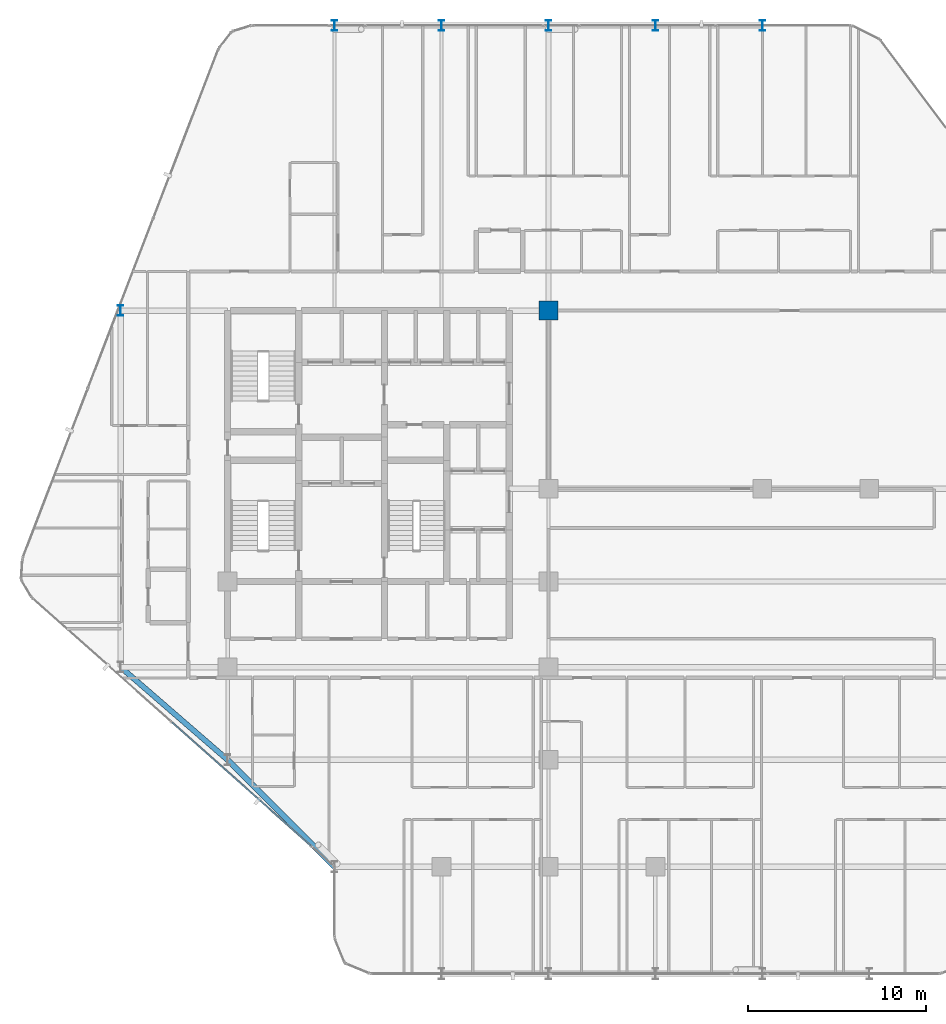
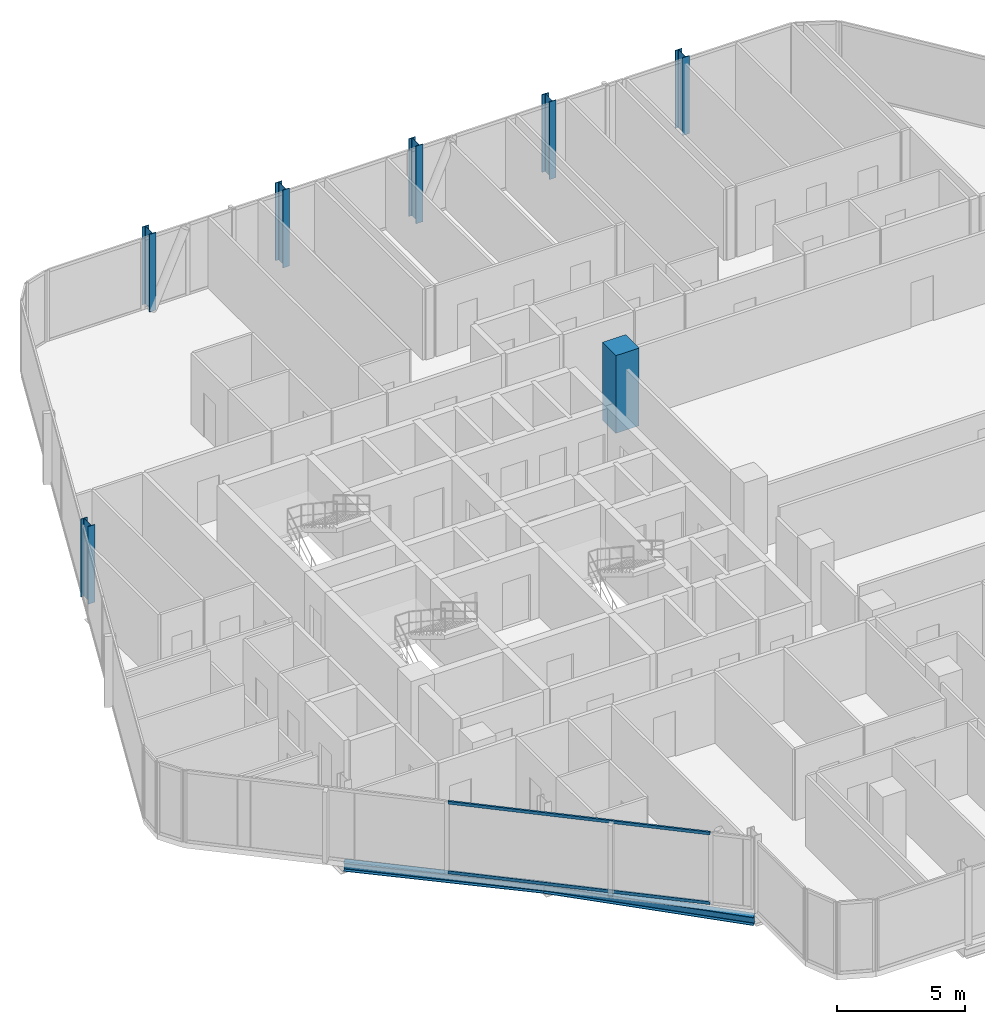
# One storey, part 2 of 29: 7 columns, 2 beams, 2 members, 1 element without a shape of its own.
"""IFC4 building model written with IfcOpenShell, lengths in metres."""

from ifc_helpers import new_model, si_unit, direction, frame, origin, origin_2d, place, context, subcontext, project, spatial, rectangle, hollow_rectangle, i_section, extrude, material, layer, layer_set, material_profile, profile_set, type_object, element, aggregate, save


model = new_model("IFC4")

# Units and contexts
model_context = context("Model", 3, precision=1e-05, world=origin(), true_north=direction((0.0, 1.0)))
body_context = subcontext(model_context, "Body", "Model", "MODEL_VIEW")
ifc_project = project(units=[si_unit("LENGTHUNIT", "METRE"), si_unit("AREAUNIT", "SQUARE_METRE"), si_unit("VOLUMEUNIT", "CUBIC_METRE"), si_unit("PLANEANGLEUNIT", "RADIAN"), si_unit("MASSUNIT", "GRAM", prefix="KILO")], contexts=[model_context])

# Site, building, storey
site_placement = place(None, origin())
site = spatial("IfcSite", under=ifc_project, at=site_placement, CompositionType="ELEMENT")
building_placement = place(site_placement, origin())
building = spatial("IfcBuilding", under=site, at=building_placement, Name="Keshet Zoharim Tower", CompositionType="ELEMENT")
storey_placement = place(building_placement, frame((0.0, 0.0, 94.60009765625)))
storey = spatial("IfcBuildingStorey", under=building, at=storey_placement, Name="L22", CompositionType="ELEMENT", Elevation=94.60009765625)

# Columns
ifc_material_1 = material(Name="Steel S355", Category="steel")
ifc_material_profile_1 = material_profile(ifc_material_1, i_section(OverallWidth=0.300048828125, OverallDepth=0.60009765625, WebThickness=0.015380859375, FlangeThickness=0.030029296875, FilletRadius=0.027099609375, at=origin_2d()), Name="HEB600")
ifc_profile_set_1 = profile_set([ifc_material_profile_1], Name="Steel S355")
column_type_1 = type_object("IfcColumnType", Name="COL-HEB600", PredefinedType="COLUMN", material=ifc_profile_set_1)
for number, where, z_axis, x_axis, name in (
    (1, (9.0, 37.89990234375, 0.0), (0.0, 0.0, 1.0), (1.0, 0.0, 0.0), "L22 Column 2H"),
    (2, (21.0, 53.89990234375, 0.0), (0.0, 0.0, 1.0), (1.0, 0.0, 0.0), "L22 Column 4L"),
    (3, (27.0, 53.89990234375, 0.0), (0.0, 0.0, 1.0), (1.0, 0.0, 0.0), "L22 Column 5L"),
    (4, (33.0, 53.89990234375, 0.0), (0.0, 0.0, 1.0), (1.0, 0.0, 0.0), "L22 Column 6L"),
    (5, (39.0, 53.89990234375, 0.0), (0.0, 0.0, 1.0), (1.0, 0.0, 0.0), "L22 Column 7L"),
    (6, (45.0, 53.89990234375, 0.0), (0.0, 0.0, 1.0), (1.0, 0.0, 0.0), "L22 Column 8L"),
):
    element("IfcColumn", number, at=place(storey_placement, frame(where, z_axis=z_axis, x_axis=x_axis)), inside=storey, type_object=column_type_1, Name=name, PredefinedType="COLUMN", context=body_context, shape_type="SweptSolid", body=[
        extrude(i_section(OverallWidth=0.300048828125, OverallDepth=0.60009765625, WebThickness=0.015380859375, FlangeThickness=0.030029296875, FilletRadius=0.027099609375, at=origin_2d()), origin(), (0.0, 0.0, 1.0), 3.699951171875),
    ])
ifc_material_2 = material(Name="Concrete C60/75", Category="concrete")
ifc_material_profile_2 = material_profile(ifc_material_2, rectangle(XDim=1.050048828125, YDim=1.050048828125, at=origin_2d()), Name="RC1050x1050")
ifc_profile_set_2 = profile_set([ifc_material_profile_2], Name="Concrete C60/75")
column_type_2 = type_object("IfcColumnType", Name="COL-RC1050", PredefinedType="COLUMN", material=ifc_profile_set_2)
column_placement = place(storey_placement, frame((33.0, 37.89990234375, 0.0), z_axis=(0.0, 0.0, 1.0), x_axis=(1.0, 0.0, 0.0)))
element("IfcColumn", 7, at=column_placement, inside=storey, type_object=column_type_2, Name="L22 Column 6H", PredefinedType="COLUMN", context=body_context, shape_type="SweptSolid", body=[
    extrude(rectangle(XDim=1.050048828125, YDim=1.050048828125, at=origin_2d()), origin(), (0.0, 0.0, 1.0), 3.699951171875),
])

# Beams
ifc_material_profile_3 = material_profile(ifc_material_1, i_section(OverallWidth=0.300048828125, OverallDepth=0.39990234375, WebThickness=0.013427734375, FlangeThickness=0.02392578125, FilletRadius=0.027099609375, at=origin_2d()), Name="HEB400")
ifc_profile_set_3 = profile_set([ifc_material_profile_3], Name="Steel S355")
beam_type = type_object("IfcBeamType", Name="BM-SPN-HB400", PredefinedType="SPANDREL", material=ifc_profile_set_3)
beam_1_placement = place(storey_placement, frame((21.0, 6.699951171875, -0.51513671875), z_axis=(-0.707106781187, 0.707106781187, 0.0), x_axis=(-0.707106781187, -0.707106781187, 0.0)))
element("IfcBeam", 8, at=beam_1_placement, inside=storey, type_object=beam_type, Name="L22 Perimeter Spandrel Beam 01", PredefinedType="SPANDREL", context=body_context, shape_type="SweptSolid", body=[
    extrude(i_section(OverallWidth=0.300048828125, OverallDepth=0.39990234375, WebThickness=0.013427734375, FlangeThickness=0.02392578125, FilletRadius=0.027099609375, at=origin_2d()), origin(), (0.0, 0.0, 1.0), 8.4853515625),
])
beam_2_placement = place(storey_placement, frame((9.0, 17.89990234375, -0.51513671875), z_axis=(0.755692126483, -0.654927026447, 0.0), x_axis=(0.654927026447, 0.755692126483, 0.0)))
element("IfcBeam", 9, at=beam_2_placement, inside=storey, type_object=beam_type, Name="L22 Perimeter Spandrel Beam 02", PredefinedType="SPANDREL", context=body_context, shape_type="SweptSolid", body=[
    extrude(i_section(OverallWidth=0.300048828125, OverallDepth=0.39990234375, WebThickness=0.013427734375, FlangeThickness=0.02392578125, FilletRadius=0.027099609375, at=origin_2d()), origin(), (0.0, 0.0, 1.0), 7.939697265625),
])

# Curtain wall, members
ifc_material_3 = material(Name="Aluminium 6063-T6", Category="aluminium")
ifc_layer = layer(ifc_material_3, 0.159912109375)
ifc_layer_set = layer_set([ifc_layer], Name="Aluminium 6063-T6")
curtain_wall_type = type_object("IfcCurtainWallType", Name="CW-SYS-03", PredefinedType="NOTDEFINED", material=ifc_layer_set)
curtain_wall_placement = place(storey_placement, origin())
curtain_wall = element("IfcCurtainWall", 10, at=curtain_wall_placement, inside=storey, type_object=curtain_wall_type, Name="L22 Unitised Curtain Wall 07 Part 2", PredefinedType="NOTDEFINED")
ifc_material_profile_4 = material_profile(ifc_material_3, hollow_rectangle(XDim=0.080078125, YDim=0.139892578125, WallThickness=0.00390625, at=origin_2d()), Name="TRN-80x140")
ifc_profile_set_4 = profile_set([ifc_material_profile_4], Name="Aluminium 6063-T6")
member_type = type_object("IfcMemberType", Name="CWT-T14", PredefinedType="USERDEFINED", material=ifc_profile_set_4)
member_1_placement = place(storey_placement, frame((19.684326171875, 7.869384765625, 0.034912109375), z_axis=(-0.747406736814, 0.664366743421, 0.0), x_axis=(-0.664366743421, -0.747406736814, 0.0)))
member_1 = element("IfcMember", 11, at=member_1_placement, type_object=member_type, Name="CW-03 transom 1.1", ObjectType="TRANSOM", PredefinedType="USERDEFINED", context=body_context, shape_type="SweptSolid", body=[
    extrude(hollow_rectangle(XDim=0.080078125, YDim=0.139892578125, WallThickness=0.00390625, at=origin_2d()), origin(), (0.0, 0.0, 1.0), 10.43408203125),
])
member_2_placement = place(storey_placement, frame((19.684326171875, 7.869384765625, 3.349853515625), z_axis=(-0.747406736814, 0.664366743421, 0.0), x_axis=(-0.664366743421, -0.747406736814, 0.0)))
member_2 = element("IfcMember", 12, at=member_2_placement, type_object=member_type, Name="CW-03 transom 1.2", ObjectType="TRANSOM", PredefinedType="USERDEFINED", context=body_context, shape_type="SweptSolid", body=[
    extrude(hollow_rectangle(XDim=0.080078125, YDim=0.139892578125, WallThickness=0.00390625, at=origin_2d()), origin(), (0.0, 0.0, 1.0), 10.43408203125),
])
aggregate(curtain_wall, [member_1, member_2])

save(model, "model.ifc")
